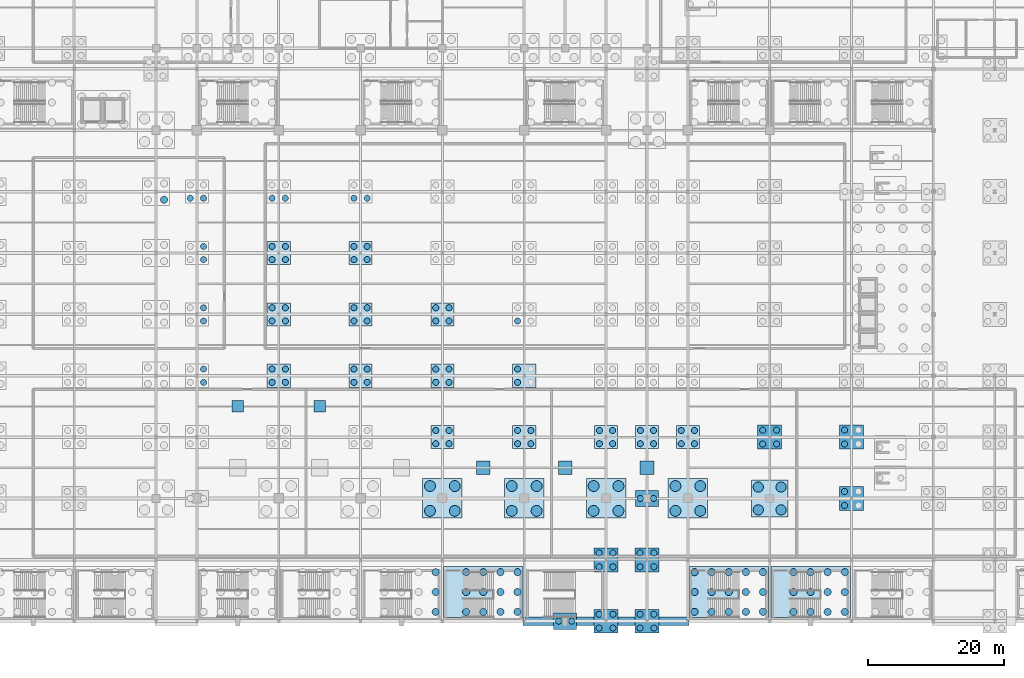
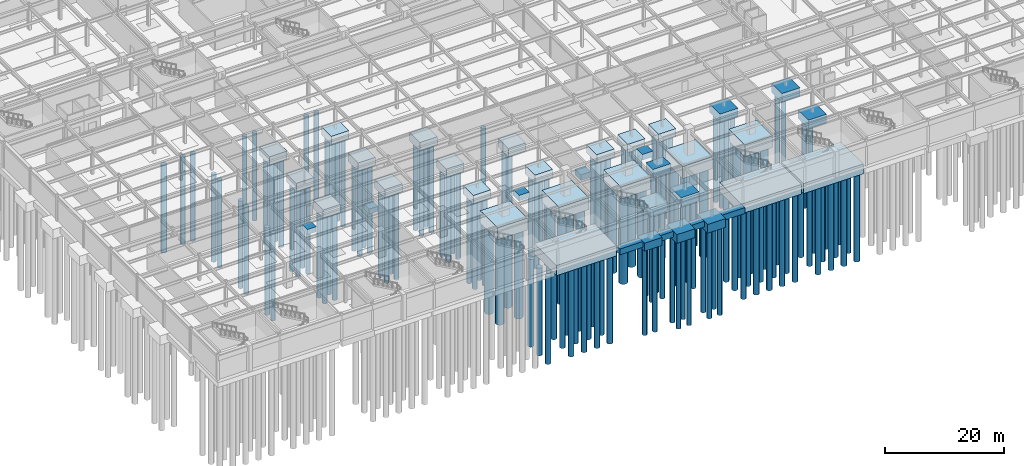
# One storey, part 2 of 47: 158 piles, 40 footings.
"""IFC4 building model written with IfcOpenShell, lengths in metres."""

import ifcopenshell
import ifcopenshell.guid

model = None  # the IFC model being written
_history = None  # IfcOwnerHistory: only IFC2X3 demands one
_inside = {}  # id of a spatial element -> (the spatial element, [elements in it])
_under = {}  # id of a project, library or spatial element -> (it, [spatial elements below it])
_declared = {}  # id of a project -> (the project, [libraries it declares])
_typed = {}  # id of a type object -> (the type object, [elements of that type])
_made_of = {}  # id of a material, layer set ... -> (it, [elements and type objects made of it])


def new_model(schema):
    """Start an empty IFC model of exactly this schema.

    Asked for "IFC4X3", IfcOpenShell would pick the latest addendum, in which some entities
    have other attributes; the version numbers below select the first issue.
    IFC2X3 requires an IfcOwnerHistory on every rooted entity: one is made here for all.
    """
    global model, _history
    if schema == "IFC4X3":
        model = ifcopenshell.file(schema_version=(4, 3, 0, 0))
    else:
        model = ifcopenshell.file(schema=schema)
    _inside.clear()
    _under.clear()
    _declared.clear()
    _typed.clear()
    _made_of.clear()
    _history = None
    if model.schema == "IFC2X3":
        org = make("IfcOrganization", Name="unknown")
        user = make(
            "IfcPersonAndOrganization",
            ThePerson=make("IfcPerson", FamilyName="unknown"),
            TheOrganization=org,
        )
        app = make(
            "IfcApplication",
            ApplicationDeveloper=org,
            Version="unknown",
            ApplicationFullName="unknown",
            ApplicationIdentifier="unknown",
        )
        _history = make(
            "IfcOwnerHistory",
            OwningUser=user,
            OwningApplication=app,
            ChangeAction="ADDED",
            CreationDate=0,
        )
    return model


def make(cls, **values):
    """One entity of the class cls with the attributes given. An attribute that is None is left unset."""
    return model.create_entity(
        cls, **{name: value for name, value in values.items() if value is not None}
    )


def rooted(cls, **values):
    """An entity with a GlobalId (a new one), such as an element, a storey or a relation."""
    return make(cls, GlobalId=ifcopenshell.guid.new(), OwnerHistory=_history, **values)


def si_unit(unit_type, name, prefix=None):
    """IfcSIUnit, for example si_unit("LENGTHUNIT", "METRE", prefix="MILLI")."""
    return make("IfcSIUnit", UnitType=unit_type, Prefix=prefix, Name=name)


def assignment(units):
    """IfcUnitAssignment: the units of a project."""
    return None if units is None else make("IfcUnitAssignment", Units=units)


def point(xyz):
    """IfcCartesianPoint."""
    return None if xyz is None else make("IfcCartesianPoint", Coordinates=xyz)


def direction(xyz):
    """IfcDirection."""
    return None if xyz is None else make("IfcDirection", DirectionRatios=xyz)


def frame(location, z_axis=None, x_axis=None):
    """IfcAxis2Placement3D, a coordinate frame: its origin and axes. An axis left out is left unset."""
    return make(
        "IfcAxis2Placement3D",
        Location=point(location),
        Axis=direction(z_axis),
        RefDirection=direction(x_axis),
    )


def frame_2d(location, x_axis=None):
    """IfcAxis2Placement2D, a coordinate frame in the plane: its origin and x axis."""
    return make(
        "IfcAxis2Placement2D", Location=point(location), RefDirection=direction(x_axis)
    )


def origin():
    """The frame at (0, 0, 0) with its axes left unset."""
    return frame((0.0, 0.0, 0.0))


def origin_2d():
    """The frame at (0, 0) in the plane with its x axis left unset."""
    return frame_2d((0.0, 0.0))


def place(relative_to, where):
    """IfcLocalPlacement: puts the frame where relative to a parent placement (None: the world)."""
    return make(
        "IfcLocalPlacement", PlacementRelTo=relative_to, RelativePlacement=where
    )


def context(
    kind, dimensions, precision=None, world=None, true_north=None, identifier=None
):
    """IfcGeometricRepresentationContext, for example the 3D "Model" context."""
    return make(
        "IfcGeometricRepresentationContext",
        ContextIdentifier=identifier,
        ContextType=kind,
        CoordinateSpaceDimension=dimensions,
        Precision=precision,
        WorldCoordinateSystem=world,
        TrueNorth=true_north,
    )


def subcontext(parent, identifier, kind, view, scale=None):
    """IfcGeometricRepresentationSubContext, for example "Body" below "Model"."""
    return make(
        "IfcGeometricRepresentationSubContext",
        ContextIdentifier=identifier,
        ContextType=kind,
        ParentContext=parent,
        TargetScale=scale,
        TargetView=view,
    )


def project(units=None, contexts=None):
    """IfcProject with its units and contexts."""
    return rooted(
        "IfcProject",
        Name="project",
        RepresentationContexts=contexts,
        UnitsInContext=assignment(units),
    )


def spatial(cls, under=None, at=None, **own):
    """A site, building, storey or space (cls), placed at a placement, below another one or the project."""
    s = rooted(cls, ObjectPlacement=at, **own)
    if under is not None:
        _under.setdefault(under.id(), (under, []))[1].append(s)
    return s


def profile(cls, at=None, kind="AREA", **sizes):
    """A parametric profile (cls). Its sizes go by their IFC names, for example OverallWidth=200.0."""
    return make(cls, ProfileType=kind, Position=at, **sizes)


def rectangle(**sizes):
    """IfcRectangleProfileDef."""
    return profile("IfcRectangleProfileDef", **sizes)


def circle(**sizes):
    """IfcCircleProfileDef."""
    return profile("IfcCircleProfileDef", **sizes)


def extrude(swept, where, along, depth):
    """IfcExtrudedAreaSolid: the profile swept, set in the frame where, extruded along a direction by depth."""
    return make(
        "IfcExtrudedAreaSolid",
        SweptArea=swept,
        Position=where,
        ExtrudedDirection=direction(along),
        Depth=depth,
    )


def shape(context_of_items, identifier, shape_type, items):
    """IfcShapeRepresentation: the items that make up one representation, for example the "Body"."""
    return make(
        "IfcShapeRepresentation",
        ContextOfItems=context_of_items,
        RepresentationIdentifier=identifier,
        RepresentationType=shape_type,
        Items=items,
    )


def material(Name=None, Category=None):
    """IfcMaterial."""
    return make("IfcMaterial", Name=Name, Category=Category)


def material_profile(
    of_material, cross_section, Name=None, Category=None, Priority=None
):
    """IfcMaterialProfile: a cross section and its material."""
    return make(
        "IfcMaterialProfile",
        Name=Name,
        Material=of_material,
        Profile=cross_section,
        Priority=Priority,
        Category=Category,
    )


def profile_set(profiles, Name=None, composite=None):
    """IfcMaterialProfileSet."""
    return make(
        "IfcMaterialProfileSet",
        Name=Name,
        MaterialProfiles=profiles,
        CompositeProfile=composite,
    )


def made_of(thing, what):
    """Note that an element or type object is made of a material, layer set ...; save() writes the relation."""
    if what is not None:
        _made_of.setdefault(what.id(), (what, []))[1].append(thing)
    return thing


def type_object(cls, material=None, **own):
    """A type object (cls), such as IfcWallType, which elements share."""
    return made_of(rooted(cls, **own), material)


def element(
    cls,
    number,
    at=None,
    inside=None,
    cuts=None,
    type_object=None,
    material=None,
    context=None,
    identifier="Body",
    shape_type=None,
    held_by="IfcProductDefinitionShape",
    body=None,
    shapes=None,
    **own,
):
    """One element of the class cls, such as IfcWall. Its Tag is "e" and its number.

    at: its placement. inside: the storey or other place that contains it. cuts: it is an
    opening in that element (IfcRelVoidsElement). A single representation is given by context,
    identifier, shape_type and body (its items); several are given by shapes. held_by: the class
    of the entity that holds the representations. save() writes the other relations.
    """
    e = rooted(cls, Tag="e%d" % number, ObjectPlacement=at, **own)
    if body is not None:
        shapes = [shape(context, identifier, shape_type, body)]
    if shapes is not None:
        e.Representation = make(held_by, Representations=shapes)
    if inside is not None:
        _inside.setdefault(inside.id(), (inside, []))[1].append(e)
    if cuts is not None:
        rooted(
            "IfcRelVoidsElement", RelatingBuildingElement=cuts, RelatedOpeningElement=e
        )
    if type_object is not None:
        _typed.setdefault(type_object.id(), (type_object, []))[1].append(e)
    return made_of(e, material)


def aggregate(whole, parts):
    """IfcRelAggregates: a whole, such as a stair, and the parts it consists of."""
    return rooted("IfcRelAggregates", RelatingObject=whole, RelatedObjects=parts)


def save(model, path):
    """Write the relations noted so far, then the file.

    IfcRelAggregates (storeys below a building ...), IfcRelContainedInSpatialStructure (elements
    in a storey), IfcRelDefinesByType, IfcRelAssociatesMaterial and IfcRelDeclares: one each for
    every whole, place, type object, material and project.
    """
    for whole, parts in _under.values():
        aggregate(whole, parts)
    for where, things in _inside.values():
        rooted(
            "IfcRelContainedInSpatialStructure",
            RelatedElements=things,
            RelatingStructure=where,
        )
    for kind, things in _typed.values():
        rooted("IfcRelDefinesByType", RelatedObjects=things, RelatingType=kind)
    for what, things in _made_of.values():
        rooted("IfcRelAssociatesMaterial", RelatedObjects=things, RelatingMaterial=what)
    for by, libraries in _declared.values():
        rooted("IfcRelDeclares", RelatingContext=by, RelatedDefinitions=libraries)
    model.write(path)


model = new_model("IFC4")

# Units and contexts
model_context = context("Model", 3, precision=1e-05, world=origin(), true_north=direction((0.0, 1.0)))
body_context = subcontext(model_context, "Body", "Model", "MODEL_VIEW")
ifc_project = project(units=[si_unit("LENGTHUNIT", "METRE"), si_unit("AREAUNIT", "SQUARE_METRE"), si_unit("VOLUMEUNIT", "CUBIC_METRE"), si_unit("PLANEANGLEUNIT", "RADIAN"), si_unit("MASSUNIT", "GRAM", prefix="KILO")], contexts=[model_context])

# Site, building, storey
site_placement = place(None, origin())
site = spatial("IfcSite", under=ifc_project, at=site_placement, CompositionType="ELEMENT")
building_placement = place(site_placement, origin())
building = spatial("IfcBuilding", under=site, at=building_placement, Name="Kaldorvane Square Convention Centre", CompositionType="ELEMENT")
storey_placement = place(building_placement, frame((0.0, 0.0, -5.399993896484375)))
storey = spatial("IfcBuildingStorey", under=building, at=storey_placement, Name="B01", CompositionType="ELEMENT", Elevation=-5.399993896484375)

# Footings
ifc_material = material(Name="Concrete f'c = 42 MPa (Normalweight)", Category="concrete")
footing_type_1 = type_object("IfcFootingType", Name="FT-FB-1200X1200", PredefinedType="FOOTING_BEAM", material=ifc_material)
footing_1_placement = place(storey_placement, frame((80.07000732421875, 0.0, -1.20001220703125), z_axis=(0.0, 0.0, 1.0), x_axis=(1.0, 0.0, 0.0)))
element("IfcFooting", 1, at=footing_1_placement, inside=storey, type_object=footing_type_1, Name="Seismic Footing Beam 002", PredefinedType="FOOTING_BEAM", context=body_context, shape_type="SweptSolid", body=[
    extrude(rectangle(XDim=4.4600067138671875, YDim=1.1999969482421875, at=origin_2d()), origin(), (0.0, 0.0, 1.0), 1.1999969482421875),
])
footing_2_placement = place(storey_placement, frame((86.97500610351562, 0.0, -1.20001220703125), z_axis=(0.0, 0.0, 1.0), x_axis=(1.0, 0.0, 0.0)))
element("IfcFooting", 2, at=footing_2_placement, inside=storey, type_object=footing_type_1, Name="Seismic Footing Beam 003", PredefinedType="FOOTING_BEAM", context=body_context, shape_type="SweptSolid", body=[
    extrude(rectangle(XDim=2.5500030517578125, YDim=1.1999969482421875, at=origin_2d()), origin(), (0.0, 0.0, 1.0), 1.1999969482421875),
])
footing_3_placement = place(storey_placement, frame((93.0, 0.0, -1.20001220703125), z_axis=(0.0, 0.0, 1.0), x_axis=(1.0, 0.0, 0.0)))
element("IfcFooting", 3, at=footing_3_placement, inside=storey, type_object=footing_type_1, Name="Seismic Footing Beam 004", PredefinedType="FOOTING_BEAM", context=body_context, shape_type="SweptSolid", body=[
    extrude(rectangle(XDim=2.5, YDim=1.1999969482421875, at=origin_2d()), origin(), (0.0, 0.0, 1.0), 1.1999969482421875),
])
footing_4_placement = place(storey_placement, frame((99.95500183105469, 0.0, -1.20001220703125), z_axis=(0.0, 0.0, 1.0), x_axis=(1.0, 0.0, 0.0)))
element("IfcFooting", 4, at=footing_4_placement, inside=storey, type_object=footing_type_1, Name="Seismic Footing Beam 005", PredefinedType="FOOTING_BEAM", context=body_context, shape_type="SweptSolid", body=[
    extrude(rectangle(XDim=4.410003662109375, YDim=1.1999969482421875, at=origin_2d()), origin(), (0.0, 0.0, 1.0), 1.1999969482421875),
])
footing_type_2 = type_object("IfcFootingType", Name="FT-PAD-1700", PredefinedType="PAD_FOOTING", material=ifc_material)
for number, where, z_axis, x_axis, name in (
    (5, (36.0, 31.5, -1.050018310546875), (0.0, 0.0, 1.0), (1.0, 0.0, 0.0), "Equipment Pad Footing PF-07"),
    (6, (48.0, 31.5, -1.050018310546875), (0.0, 0.0, 1.0), (1.0, 0.0, 0.0), "Equipment Pad Footing PF-08"),
):
    element("IfcFooting", number, at=place(storey_placement, frame(where, z_axis=z_axis, x_axis=x_axis)), inside=storey, type_object=footing_type_2, Name=name, PredefinedType="PAD_FOOTING", context=body_context, shape_type="SweptSolid", body=[
        extrude(rectangle(XDim=1.6999969482421875, YDim=1.6999969482421875, at=origin_2d()), origin(), (0.0, 0.0, 1.0), 1.0500030517578125),
    ])
footing_type_3 = type_object("IfcFootingType", Name="FT-PAD-2000", PredefinedType="PAD_FOOTING", material=ifc_material)
for number, where, z_axis, x_axis, name in (
    (7, (72.0, 22.5, -1.1500091552734375), (0.0, 0.0, 1.0), (1.0, 0.0, 0.0), "Equipment Pad Footing PF-04"),
    (8, (84.0, 22.5, -1.1500091552734375), (0.0, 0.0, 1.0), (1.0, 0.0, 0.0), "Equipment Pad Footing PF-05"),
    (9, (96.0, 22.5, -1.1500091552734375), (0.0, 0.0, 1.0), (1.0, 0.0, 0.0), "Equipment Pad Footing PF-06"),
):
    element("IfcFooting", number, at=place(storey_placement, frame(where, z_axis=z_axis, x_axis=x_axis)), inside=storey, type_object=footing_type_3, Name=name, PredefinedType="PAD_FOOTING", context=body_context, shape_type="SweptSolid", body=[
        extrude(rectangle(XDim=2.0, YDim=2.0, at=origin_2d()), origin(), (0.0, 0.0, 1.0), 1.149993896484375),
    ])
footing_type_4 = type_object("IfcFootingType", Name="FT-PC-3400X2400", PredefinedType="PILE_CAP", material=ifc_material)
for number, where, z_axis, x_axis, name in (
    (10, (96.0, 18.0, -1.6500091552734375), (0.0, 0.0, 1.0), (1.0, 0.0, 0.0), "Pile Cap FC-38-136"),
    (11, (84.0, 0.0, -1.6500091552734375), (0.0, 0.0, 1.0), (1.0, 0.0, 0.0), "Pile Cap FC-38-267"),
):
    element("IfcFooting", number, at=place(storey_placement, frame(where, z_axis=z_axis, x_axis=x_axis)), inside=storey, type_object=footing_type_4, Name=name, PredefinedType="PILE_CAP", context=body_context, shape_type="SweptSolid", body=[
        extrude(rectangle(XDim=3.399993896484375, YDim=2.399993896484375, at=origin_2d()), origin(), (0.0, 0.0, 1.0), 1.649993896484375),
    ])
footing_type_5 = type_object("IfcFootingType", Name="FT-PC-3400X3400", PredefinedType="PILE_CAP", material=ifc_material)
for number, where, z_axis, x_axis, name in (
    (12, (42.0, 36.0, -1.70001220703125), (0.0, 0.0, 1.0), (1.0, 0.0, 0.0), "Pile Cap FC-37-065"),
    (13, (42.0, 45.0, -1.70001220703125), (0.0, 0.0, 1.0), (1.0, 0.0, 0.0), "Pile Cap FC-37-066"),
    (14, (42.0, 54.0, -1.70001220703125), (0.0, 0.0, 1.0), (1.0, 0.0, 0.0), "Pile Cap FC-37-067"),
    (15, (54.0, 36.0, -1.70001220703125), (0.0, 0.0, 1.0), (1.0, 0.0, 0.0), "Pile Cap FC-37-079"),
    (16, (54.0, 45.0, -1.70001220703125), (0.0, 0.0, 1.0), (1.0, 0.0, 0.0), "Pile Cap FC-37-080"),
    (17, (54.0, 54.0, -1.70001220703125), (0.0, 0.0, 1.0), (1.0, 0.0, 0.0), "Pile Cap FC-37-081"),
    (18, (66.0, 27.0, -1.70001220703125), (0.0, 0.0, 1.0), (1.0, 0.0, 0.0), "Pile Cap FC-37-091"),
    (19, (66.0, 36.0, -1.70001220703125), (0.0, 0.0, 1.0), (1.0, 0.0, 0.0), "Pile Cap FC-37-092"),
    (20, (66.0, 45.0, -1.70001220703125), (0.0, 0.0, 1.0), (1.0, 0.0, 0.0), "Pile Cap FC-37-093"),
    (21, (78.0, 27.0, -1.70001220703125), (0.0, 0.0, 1.0), (1.0, 0.0, 0.0), "Pile Cap FC-37-105"),
    (22, (78.0, 36.0, -1.70001220703125), (0.0, 0.0, 1.0), (1.0, 0.0, 0.0), "Pile Cap FC-37-106"),
    (23, (90.0, 27.0, -1.70001220703125), (0.0, 0.0, 1.0), (1.0, 0.0, 0.0), "Pile Cap FC-37-123"),
    (24, (96.0, 27.0, -1.70001220703125), (0.0, 0.0, 1.0), (1.0, 0.0, 0.0), "Pile Cap FC-37-137"),
    (25, (102.0, 27.0, -1.70001220703125), (0.0, 0.0, 1.0), (1.0, 0.0, 0.0), "Pile Cap FC-37-151"),
):
    element("IfcFooting", number, at=place(storey_placement, frame(where, z_axis=z_axis, x_axis=x_axis)), inside=storey, type_object=footing_type_5, Name=name, PredefinedType="PILE_CAP", context=body_context, shape_type="SweptSolid", body=[
        extrude(rectangle(XDim=3.399993896484375, YDim=3.399993896484375, at=origin_2d()), origin(), (0.0, 0.0, 1.0), 1.6999969482421875),
    ])
footing_type_6 = type_object("IfcFootingType", Name="FT-PC-3500X3500", PredefinedType="PILE_CAP", material=ifc_material)
for number, where, z_axis, x_axis, name in (
    (26, (90.0, 0.0, -1.800018310546875), (0.0, 0.0, 1.0), (1.0, 0.0, 0.0), "Pile Cap FC-36-120"),
    (27, (90.0, 9.0, -1.800018310546875), (0.0, 0.0, 1.0), (1.0, 0.0, 0.0), "Pile Cap FC-36-121"),
    (28, (96.0, 0.0, -1.800018310546875), (0.0, 0.0, 1.0), (1.0, 0.0, 0.0), "Pile Cap FC-36-134"),
    (29, (96.0, 9.0, -1.800018310546875), (0.0, 0.0, 1.0), (1.0, 0.0, 0.0), "Pile Cap FC-36-135"),
    (30, (114.0, 27.0, -1.800018310546875), (0.0, 0.0, 1.0), (1.0, 0.0, 0.0), "Pile Cap FC-36-165"),
    (31, (126.0, 18.0, -1.800018310546875), (0.0, 0.0, 1.0), (1.0, 0.0, 0.0), "Pile Cap FC-36-178"),
    (32, (126.0, 27.0, -1.800018310546875), (0.0, 0.0, 1.0), (1.0, 0.0, 0.0), "Pile Cap FC-36-179"),
):
    element("IfcFooting", number, at=place(storey_placement, frame(where, z_axis=z_axis, x_axis=x_axis)), inside=storey, type_object=footing_type_6, Name=name, PredefinedType="PILE_CAP", context=body_context, shape_type="SweptSolid", body=[
        extrude(rectangle(XDim=3.5, YDim=3.5, at=origin_2d()), origin(), (0.0, 0.0, 1.0), 1.8000030517578125),
    ])
footing_type_7 = type_object("IfcFootingType", Name="FT-PC-5400X5400", PredefinedType="PILE_CAP", material=ifc_material)
footing_5_placement = place(storey_placement, frame((114.0, 18.0, -2.4000091552734375), z_axis=(0.0, 0.0, 1.0), x_axis=(1.0, 0.0, 0.0)))
element("IfcFooting", 33, at=footing_5_placement, inside=storey, type_object=footing_type_7, Name="Pile Cap FC-32-164", PredefinedType="PILE_CAP", context=body_context, shape_type="SweptSolid", body=[
    extrude(rectangle(XDim=5.399993896484375, YDim=5.399993896484375, at=origin_2d()), origin(), (0.0, 0.0, 1.0), 2.399993896484375),
])
footing_type_8 = type_object("IfcFootingType", Name="FT-PC-5800X5800", PredefinedType="PILE_CAP", material=ifc_material)
for number, where, z_axis, x_axis, name in (
    (34, (66.0, 18.0, -2.5), (0.0, 0.0, 1.0), (1.0, 0.0, 0.0), "Pile Cap FC-31-090"),
    (35, (78.0, 18.0, -2.5), (0.0, 0.0, 1.0), (1.0, 0.0, 0.0), "Pile Cap FC-31-104"),
    (36, (90.0, 18.0, -2.5), (0.0, 0.0, 1.0), (1.0, 0.0, 0.0), "Pile Cap FC-31-122"),
    (37, (102.0, 18.0, -2.5), (0.0, 0.0, 1.0), (1.0, 0.0, 0.0), "Pile Cap FC-31-150"),
):
    element("IfcFooting", number, at=place(storey_placement, frame(where, z_axis=z_axis, x_axis=x_axis)), inside=storey, type_object=footing_type_8, Name=name, PredefinedType="PILE_CAP", context=body_context, shape_type="SweptSolid", body=[
        extrude(rectangle(XDim=5.8000030517578125, YDim=5.8000030517578125, at=origin_2d()), origin(), (0.0, 0.0, 1.0), 2.5),
    ])
footing_type_9 = type_object("IfcFootingType", Name="FT-PC-STAIR-ST-C6", PredefinedType="PILE_CAP", material=ifc_material)
footing_6_placement = place(storey_placement, frame((72.0, 4.279998779296875, -2.100006103515625), z_axis=(0.0, 0.0, 1.0), x_axis=(1.0, 0.0, 0.0)))
element("IfcFooting", 38, at=footing_6_placement, inside=storey, type_object=footing_type_9, Name="Core Pile Cap FC-12", PredefinedType="PILE_CAP", context=body_context, shape_type="SweptSolid", body=[
    extrude(rectangle(XDim=11.67999267578125, YDim=7.4600067138671875, at=origin_2d()), origin(), (0.0, 0.0, 1.0), 2.100006103515625),
])
footing_type_10 = type_object("IfcFootingType", Name="FT-PC-STAIR-ST-C8", PredefinedType="PILE_CAP", material=ifc_material)
footing_7_placement = place(storey_placement, frame((108.0, 4.279998779296875, -2.0), z_axis=(0.0, 0.0, 1.0), x_axis=(1.0, 0.0, 0.0)))
element("IfcFooting", 39, at=footing_7_placement, inside=storey, type_object=footing_type_10, Name="Core Pile Cap FC-13", PredefinedType="PILE_CAP", context=body_context, shape_type="SweptSolid", body=[
    extrude(rectangle(XDim=11.67999267578125, YDim=7.4600067138671875, at=origin_2d()), origin(), (0.0, 0.0, 1.0), 2.0),
])
footing_type_11 = type_object("IfcFootingType", Name="FT-PC-STAIR-ST-C9", PredefinedType="PILE_CAP", material=ifc_material)
footing_8_placement = place(storey_placement, frame((120.0, 4.279998779296875, -2.050018310546875), z_axis=(0.0, 0.0, 1.0), x_axis=(1.0, 0.0, 0.0)))
element("IfcFooting", 40, at=footing_8_placement, inside=storey, type_object=footing_type_11, Name="Core Pile Cap FC-14", PredefinedType="PILE_CAP", context=body_context, shape_type="SweptSolid", body=[
    extrude(rectangle(XDim=11.67999267578125, YDim=7.4600067138671875, at=origin_2d()), origin(), (0.0, 0.0, 1.0), 2.0500030517578125),
])

# Piles
ifc_material_profile_1 = material_profile(ifc_material, circle(Radius=0.524993896484375, at=origin_2d()), Name="PILE-D1050")
ifc_profile_set_1 = profile_set([ifc_material_profile_1], Name="Concrete f'c = 42 MPa (Normalweight)")
pile_type_1 = type_object("IfcPileType", Name="PL-CIDH-1050", PredefinedType="BORED", material=ifc_profile_set_1)
for number, where, z_axis, x_axis, name in (
    (41, (65.01499938964844, 1.375, -2.0500030517578125), (0.0, 0.0, -1.0), (1.0, 0.0, 0.0), "Bored Pile 0130"),
    (42, (65.01499938964844, 4.279998779296875, -2.0500030517578125), (0.0, 0.0, -1.0), (1.0, 0.0, 0.0), "Bored Pile 0131"),
    (43, (65.01499938964844, 7.18499755859375, -2.0500030517578125), (0.0, 0.0, -1.0), (1.0, 0.0, 0.0), "Bored Pile 0132"),
    (44, (69.49249267578125, 1.375, -2.100006103515625), (0.0, 0.0, -1.0), (1.0, 0.0, 0.0), "Bored Pile 0133"),
    (45, (69.49249267578125, 4.279998779296875, -2.100006103515625), (0.0, 0.0, -1.0), (1.0, 0.0, 0.0), "Bored Pile 0134"),
    (46, (69.49249267578125, 7.18499755859375, -2.100006103515625), (0.0, 0.0, -1.0), (1.0, 0.0, 0.0), "Bored Pile 0135"),
    (47, (72.0, 1.375, -2.100006103515625), (0.0, 0.0, -1.0), (1.0, 0.0, 0.0), "Bored Pile 0136"),
    (48, (72.0, 4.279998779296875, -2.100006103515625), (0.0, 0.0, -1.0), (1.0, 0.0, 0.0), "Bored Pile 0137"),
    (49, (72.0, 7.18499755859375, -2.100006103515625), (0.0, 0.0, -1.0), (1.0, 0.0, 0.0), "Bored Pile 0138"),
    (50, (74.50750732421875, 1.375, -2.100006103515625), (0.0, 0.0, -1.0), (1.0, 0.0, 0.0), "Bored Pile 0139"),
    (51, (74.50750732421875, 4.279998779296875, -2.100006103515625), (0.0, 0.0, -1.0), (1.0, 0.0, 0.0), "Bored Pile 0140"),
    (52, (74.50750732421875, 7.18499755859375, -2.100006103515625), (0.0, 0.0, -1.0), (1.0, 0.0, 0.0), "Bored Pile 0141"),
    (53, (77.01499938964844, 1.375, -2.100006103515625), (0.0, 0.0, -1.0), (1.0, 0.0, 0.0), "Bored Pile 0142"),
    (54, (77.01499938964844, 4.279998779296875, -2.100006103515625), (0.0, 0.0, -1.0), (1.0, 0.0, 0.0), "Bored Pile 0143"),
    (55, (77.01499938964844, 7.18499755859375, -2.100006103515625), (0.0, 0.0, -1.0), (1.0, 0.0, 0.0), "Bored Pile 0144"),
    (56, (102.98500061035156, 1.375, -2.0), (0.0, 0.0, -1.0), (1.0, 0.0, 0.0), "Bored Pile 0145"),
    (57, (102.98500061035156, 4.279998779296875, -2.0), (0.0, 0.0, -1.0), (1.0, 0.0, 0.0), "Bored Pile 0146"),
    (58, (102.98500061035156, 7.18499755859375, -2.0), (0.0, 0.0, -1.0), (1.0, 0.0, 0.0), "Bored Pile 0147"),
    (59, (105.49249267578125, 1.375, -2.0), (0.0, 0.0, -1.0), (1.0, 0.0, 0.0), "Bored Pile 0148"),
    (60, (105.49249267578125, 4.279998779296875, -2.0), (0.0, 0.0, -1.0), (1.0, 0.0, 0.0), "Bored Pile 0149"),
    (61, (105.49249267578125, 7.18499755859375, -2.0), (0.0, 0.0, -1.0), (1.0, 0.0, 0.0), "Bored Pile 0150"),
    (62, (108.0, 1.375, -2.0), (0.0, 0.0, -1.0), (1.0, 0.0, 0.0), "Bored Pile 0151"),
    (63, (108.0, 4.279998779296875, -2.0), (0.0, 0.0, -1.0), (1.0, 0.0, 0.0), "Bored Pile 0152"),
    (64, (108.0, 7.18499755859375, -2.0), (0.0, 0.0, -1.0), (1.0, 0.0, 0.0), "Bored Pile 0153"),
    (65, (110.50750732421875, 1.375, -2.0), (0.0, 0.0, -1.0), (1.0, 0.0, 0.0), "Bored Pile 0154"),
    (66, (110.50750732421875, 4.279998779296875, -2.0), (0.0, 0.0, -1.0), (1.0, 0.0, 0.0), "Bored Pile 0155"),
    (67, (110.50750732421875, 7.18499755859375, -2.0), (0.0, 0.0, -1.0), (1.0, 0.0, 0.0), "Bored Pile 0156"),
    (68, (113.01499938964844, 1.375, -2.0), (0.0, 0.0, -1.0), (1.0, 0.0, 0.0), "Bored Pile 0157"),
    (69, (113.01499938964844, 4.279998779296875, -2.0), (0.0, 0.0, -1.0), (1.0, 0.0, 0.0), "Bored Pile 0158"),
    (70, (113.01499938964844, 7.18499755859375, -2.0), (0.0, 0.0, -1.0), (1.0, 0.0, 0.0), "Bored Pile 0159"),
    (71, (117.49249267578125, 1.375, -2.0500030517578125), (0.0, 0.0, -1.0), (1.0, 0.0, 0.0), "Bored Pile 0160"),
    (72, (117.49249267578125, 4.279998779296875, -2.0500030517578125), (0.0, 0.0, -1.0), (1.0, 0.0, 0.0), "Bored Pile 0161"),
    (73, (117.49249267578125, 7.18499755859375, -2.0500030517578125), (0.0, 0.0, -1.0), (1.0, 0.0, 0.0), "Bored Pile 0162"),
    (74, (120.0, 1.375, -2.0500030517578125), (0.0, 0.0, -1.0), (1.0, 0.0, 0.0), "Bored Pile 0163"),
    (75, (120.0, 4.279998779296875, -2.0500030517578125), (0.0, 0.0, -1.0), (1.0, 0.0, 0.0), "Bored Pile 0164"),
    (76, (120.0, 7.18499755859375, -2.0500030517578125), (0.0, 0.0, -1.0), (1.0, 0.0, 0.0), "Bored Pile 0165"),
    (77, (122.50750732421875, 1.375, -2.0500030517578125), (0.0, 0.0, -1.0), (1.0, 0.0, 0.0), "Bored Pile 0166"),
    (78, (122.50750732421875, 4.279998779296875, -2.0500030517578125), (0.0, 0.0, -1.0), (1.0, 0.0, 0.0), "Bored Pile 0167"),
    (79, (122.50750732421875, 7.18499755859375, -2.0500030517578125), (0.0, 0.0, -1.0), (1.0, 0.0, 0.0), "Bored Pile 0168"),
    (80, (125.01499938964844, 1.375, -2.0500030517578125), (0.0, 0.0, -1.0), (1.0, 0.0, 0.0), "Bored Pile 0169"),
    (81, (125.01499938964844, 4.279998779296875, -2.0500030517578125), (0.0, 0.0, -1.0), (1.0, 0.0, 0.0), "Bored Pile 0170"),
    (82, (125.01499938964844, 7.18499755859375, -2.0500030517578125), (0.0, 0.0, -1.0), (1.0, 0.0, 0.0), "Bored Pile 0171"),
    (83, (25.19500732421875, 61.80499267578125, -1.9000091552734375), (0.0, 0.0, -1.0), (1.0, 0.0, 0.0), "Bored Pile 0410"),
):
    element("IfcPile", number, at=place(storey_placement, frame(where, z_axis=z_axis, x_axis=x_axis)), inside=storey, type_object=pile_type_1, Name=name, PredefinedType="BORED", context=body_context, shape_type="SweptSolid", body=[
        extrude(circle(Radius=0.524993896484375, at=origin_2d()), origin(), (0.0, 0.0, 1.0), 18.0),
    ])
ifc_material_profile_2 = material_profile(ifc_material, circle(Radius=0.75, at=origin_2d()), Name="PILE-D1500")
ifc_profile_set_2 = profile_set([ifc_material_profile_2], Name="Concrete f'c = 42 MPa (Normalweight)")
pile_type_2 = type_object("IfcPileType", Name="PL-CIDH-1500", PredefinedType="BORED", material=ifc_profile_set_2)
for number, where, z_axis, x_axis, name in (
    (84, (112.33000183105469, 16.330001831054688, -2.4000091552734375), (0.0, 0.0, -1.0), (1.0, 0.0, 0.0), "Bored Pile 0764"),
    (85, (112.33000183105469, 19.669998168945312, -2.4000091552734375), (0.0, 0.0, -1.0), (1.0, 0.0, 0.0), "Bored Pile 0765"),
    (86, (115.66999816894531, 16.330001831054688, -2.4000091552734375), (0.0, 0.0, -1.0), (1.0, 0.0, 0.0), "Bored Pile 0766"),
    (87, (115.66999816894531, 19.669998168945312, -2.4000091552734375), (0.0, 0.0, -1.0), (1.0, 0.0, 0.0), "Bored Pile 0767"),
):
    element("IfcPile", number, at=place(storey_placement, frame(where, z_axis=z_axis, x_axis=x_axis)), inside=storey, type_object=pile_type_2, Name=name, PredefinedType="BORED", context=body_context, shape_type="SweptSolid", body=[
        extrude(circle(Radius=0.75, at=origin_2d()), origin(), (0.0, 0.0, 1.0), 18.0),
    ])
ifc_material_profile_3 = material_profile(ifc_material, circle(Radius=0.8000030517578125, at=origin_2d()), Name="PILE-D1600")
ifc_profile_set_3 = profile_set([ifc_material_profile_3], Name="Concrete f'c = 42 MPa (Normalweight)")
pile_type_3 = type_object("IfcPileType", Name="PL-CIDH-1600", PredefinedType="BORED", material=ifc_profile_set_3)
for number, where, z_axis, x_axis, name in (
    (88, (64.17999267578125, 16.17999267578125, -2.5), (0.0, 0.0, -1.0), (1.0, 0.0, 0.0), "Bored Pile 0546"),
    (89, (64.17999267578125, 19.82000732421875, -2.5), (0.0, 0.0, -1.0), (1.0, 0.0, 0.0), "Bored Pile 0547"),
    (90, (67.82000732421875, 16.17999267578125, -2.5), (0.0, 0.0, -1.0), (1.0, 0.0, 0.0), "Bored Pile 0548"),
    (91, (67.82000732421875, 19.82000732421875, -2.5), (0.0, 0.0, -1.0), (1.0, 0.0, 0.0), "Bored Pile 0549"),
    (92, (76.17999267578125, 16.17999267578125, -2.5), (0.0, 0.0, -1.0), (1.0, 0.0, 0.0), "Bored Pile 0580"),
    (93, (76.17999267578125, 19.82000732421875, -2.5), (0.0, 0.0, -1.0), (1.0, 0.0, 0.0), "Bored Pile 0581"),
    (94, (79.82000732421875, 16.17999267578125, -2.5), (0.0, 0.0, -1.0), (1.0, 0.0, 0.0), "Bored Pile 0582"),
    (95, (79.82000732421875, 19.82000732421875, -2.5), (0.0, 0.0, -1.0), (1.0, 0.0, 0.0), "Bored Pile 0583"),
    (96, (88.17999267578125, 16.17999267578125, -2.5), (0.0, 0.0, -1.0), (1.0, 0.0, 0.0), "Bored Pile 0638"),
    (97, (88.17999267578125, 19.82000732421875, -2.5), (0.0, 0.0, -1.0), (1.0, 0.0, 0.0), "Bored Pile 0639"),
    (98, (91.82000732421875, 16.17999267578125, -2.5), (0.0, 0.0, -1.0), (1.0, 0.0, 0.0), "Bored Pile 0640"),
    (99, (91.82000732421875, 19.82000732421875, -2.5), (0.0, 0.0, -1.0), (1.0, 0.0, 0.0), "Bored Pile 0641"),
    (100, (100.17999267578125, 16.17999267578125, -2.5), (0.0, 0.0, -1.0), (1.0, 0.0, 0.0), "Bored Pile 0728"),
    (101, (100.17999267578125, 19.82000732421875, -2.5), (0.0, 0.0, -1.0), (1.0, 0.0, 0.0), "Bored Pile 0729"),
    (102, (103.82000732421875, 16.17999267578125, -2.5), (0.0, 0.0, -1.0), (1.0, 0.0, 0.0), "Bored Pile 0730"),
    (103, (103.82000732421875, 19.82000732421875, -2.5), (0.0, 0.0, -1.0), (1.0, 0.0, 0.0), "Bored Pile 0731"),
):
    element("IfcPile", number, at=place(storey_placement, frame(where, z_axis=z_axis, x_axis=x_axis)), inside=storey, type_object=pile_type_3, Name=name, PredefinedType="BORED", context=body_context, shape_type="SweptSolid", body=[
        extrude(circle(Radius=0.8000030517578125, at=origin_2d()), origin(), (0.0, 0.0, 1.0), 18.0),
    ])
ifc_material_profile_4 = material_profile(ifc_material, circle(Radius=0.4499969482421875, at=origin_2d()), Name="PILE-D900")
ifc_profile_set_4 = profile_set([ifc_material_profile_4], Name="Concrete f'c = 42 MPa (Normalweight)")
pile_type_4 = type_object("IfcPileType", Name="PL-CIDH-900", PredefinedType="BORED", material=ifc_profile_set_4)
for number, where, z_axis, x_axis, name in (
    (104, (30.970001220703125, 35.029998779296875, -1.70001220703125), (0.0, 0.0, -1.0), (1.0, 0.0, 0.0), "Bored Pile 0440"),
    (105, (30.970001220703125, 36.970001220703125, -1.70001220703125), (0.0, 0.0, -1.0), (1.0, 0.0, 0.0), "Bored Pile 0441"),
    (106, (30.970001220703125, 44.029998779296875, -1.70001220703125), (0.0, 0.0, -1.0), (1.0, 0.0, 0.0), "Bored Pile 0444"),
    (107, (30.970001220703125, 45.970001220703125, -1.70001220703125), (0.0, 0.0, -1.0), (1.0, 0.0, 0.0), "Bored Pile 0445"),
    (108, (30.970001220703125, 53.029998779296875, -1.70001220703125), (0.0, 0.0, -1.0), (1.0, 0.0, 0.0), "Bored Pile 0448"),
    (109, (30.970001220703125, 54.970001220703125, -1.70001220703125), (0.0, 0.0, -1.0), (1.0, 0.0, 0.0), "Bored Pile 0449"),
    (110, (29.029998779296875, 62.029998779296875, -1.70001220703125), (0.0, 0.0, -1.0), (1.0, 0.0, 0.0), "Bored Pile 0450"),
    (111, (30.970001220703125, 62.029998779296875, -1.70001220703125), (0.0, 0.0, -1.0), (1.0, 0.0, 0.0), "Bored Pile 0452"),
    (112, (41.029998779296875, 35.029998779296875, -1.70001220703125), (0.0, 0.0, -1.0), (1.0, 0.0, 0.0), "Bored Pile 0488"),
    (113, (41.029998779296875, 36.970001220703125, -1.70001220703125), (0.0, 0.0, -1.0), (1.0, 0.0, 0.0), "Bored Pile 0489"),
    (114, (42.970001220703125, 35.029998779296875, -1.70001220703125), (0.0, 0.0, -1.0), (1.0, 0.0, 0.0), "Bored Pile 0490"),
    (115, (42.970001220703125, 36.970001220703125, -1.70001220703125), (0.0, 0.0, -1.0), (1.0, 0.0, 0.0), "Bored Pile 0491"),
    (116, (41.029998779296875, 44.029998779296875, -1.70001220703125), (0.0, 0.0, -1.0), (1.0, 0.0, 0.0), "Bored Pile 0492"),
    (117, (41.029998779296875, 45.970001220703125, -1.70001220703125), (0.0, 0.0, -1.0), (1.0, 0.0, 0.0), "Bored Pile 0493"),
    (118, (42.970001220703125, 44.029998779296875, -1.70001220703125), (0.0, 0.0, -1.0), (1.0, 0.0, 0.0), "Bored Pile 0494"),
    (119, (42.970001220703125, 45.970001220703125, -1.70001220703125), (0.0, 0.0, -1.0), (1.0, 0.0, 0.0), "Bored Pile 0495"),
    (120, (41.029998779296875, 53.029998779296875, -1.70001220703125), (0.0, 0.0, -1.0), (1.0, 0.0, 0.0), "Bored Pile 0496"),
    (121, (41.029998779296875, 54.970001220703125, -1.70001220703125), (0.0, 0.0, -1.0), (1.0, 0.0, 0.0), "Bored Pile 0497"),
    (122, (42.970001220703125, 53.029998779296875, -1.70001220703125), (0.0, 0.0, -1.0), (1.0, 0.0, 0.0), "Bored Pile 0498"),
    (123, (42.970001220703125, 54.970001220703125, -1.70001220703125), (0.0, 0.0, -1.0), (1.0, 0.0, 0.0), "Bored Pile 0499"),
    (124, (41.029998779296875, 62.029998779296875, -1.70001220703125), (0.0, 0.0, -1.0), (1.0, 0.0, 0.0), "Bored Pile 0500"),
    (125, (42.970001220703125, 62.029998779296875, -1.70001220703125), (0.0, 0.0, -1.0), (1.0, 0.0, 0.0), "Bored Pile 0502"),
    (126, (53.029998779296875, 35.029998779296875, -1.70001220703125), (0.0, 0.0, -1.0), (1.0, 0.0, 0.0), "Bored Pile 0522"),
    (127, (53.029998779296875, 36.970001220703125, -1.70001220703125), (0.0, 0.0, -1.0), (1.0, 0.0, 0.0), "Bored Pile 0523"),
    (128, (54.970001220703125, 35.029998779296875, -1.70001220703125), (0.0, 0.0, -1.0), (1.0, 0.0, 0.0), "Bored Pile 0524"),
    (129, (54.970001220703125, 36.970001220703125, -1.70001220703125), (0.0, 0.0, -1.0), (1.0, 0.0, 0.0), "Bored Pile 0525"),
    (130, (53.029998779296875, 44.029998779296875, -1.70001220703125), (0.0, 0.0, -1.0), (1.0, 0.0, 0.0), "Bored Pile 0526"),
    (131, (53.029998779296875, 45.970001220703125, -1.70001220703125), (0.0, 0.0, -1.0), (1.0, 0.0, 0.0), "Bored Pile 0527"),
    (132, (54.970001220703125, 44.029998779296875, -1.70001220703125), (0.0, 0.0, -1.0), (1.0, 0.0, 0.0), "Bored Pile 0528"),
    (133, (54.970001220703125, 45.970001220703125, -1.70001220703125), (0.0, 0.0, -1.0), (1.0, 0.0, 0.0), "Bored Pile 0529"),
    (134, (53.029998779296875, 53.029998779296875, -1.70001220703125), (0.0, 0.0, -1.0), (1.0, 0.0, 0.0), "Bored Pile 0530"),
    (135, (53.029998779296875, 54.970001220703125, -1.70001220703125), (0.0, 0.0, -1.0), (1.0, 0.0, 0.0), "Bored Pile 0531"),
    (136, (54.970001220703125, 53.029998779296875, -1.70001220703125), (0.0, 0.0, -1.0), (1.0, 0.0, 0.0), "Bored Pile 0532"),
    (137, (54.970001220703125, 54.970001220703125, -1.70001220703125), (0.0, 0.0, -1.0), (1.0, 0.0, 0.0), "Bored Pile 0533"),
    (138, (53.029998779296875, 62.029998779296875, -1.70001220703125), (0.0, 0.0, -1.0), (1.0, 0.0, 0.0), "Bored Pile 0534"),
    (139, (54.970001220703125, 62.029998779296875, -1.70001220703125), (0.0, 0.0, -1.0), (1.0, 0.0, 0.0), "Bored Pile 0536"),
    (140, (65.02999877929688, 26.029998779296875, -1.70001220703125), (0.0, 0.0, -1.0), (1.0, 0.0, 0.0), "Bored Pile 0550"),
    (141, (65.02999877929688, 27.970001220703125, -1.70001220703125), (0.0, 0.0, -1.0), (1.0, 0.0, 0.0), "Bored Pile 0551"),
    (142, (66.97000122070312, 26.029998779296875, -1.70001220703125), (0.0, 0.0, -1.0), (1.0, 0.0, 0.0), "Bored Pile 0552"),
    (143, (66.97000122070312, 27.970001220703125, -1.70001220703125), (0.0, 0.0, -1.0), (1.0, 0.0, 0.0), "Bored Pile 0553"),
    (144, (65.02999877929688, 35.029998779296875, -1.70001220703125), (0.0, 0.0, -1.0), (1.0, 0.0, 0.0), "Bored Pile 0554"),
    (145, (65.02999877929688, 36.970001220703125, -1.70001220703125), (0.0, 0.0, -1.0), (1.0, 0.0, 0.0), "Bored Pile 0555"),
    (146, (66.97000122070312, 35.029998779296875, -1.70001220703125), (0.0, 0.0, -1.0), (1.0, 0.0, 0.0), "Bored Pile 0556"),
    (147, (66.97000122070312, 36.970001220703125, -1.70001220703125), (0.0, 0.0, -1.0), (1.0, 0.0, 0.0), "Bored Pile 0557"),
    (148, (65.02999877929688, 44.029998779296875, -1.70001220703125), (0.0, 0.0, -1.0), (1.0, 0.0, 0.0), "Bored Pile 0558"),
    (149, (65.02999877929688, 45.970001220703125, -1.70001220703125), (0.0, 0.0, -1.0), (1.0, 0.0, 0.0), "Bored Pile 0559"),
    (150, (66.97000122070312, 44.029998779296875, -1.70001220703125), (0.0, 0.0, -1.0), (1.0, 0.0, 0.0), "Bored Pile 0560"),
    (151, (66.97000122070312, 45.970001220703125, -1.70001220703125), (0.0, 0.0, -1.0), (1.0, 0.0, 0.0), "Bored Pile 0561"),
    (152, (77.02999877929688, 26.029998779296875, -1.70001220703125), (0.0, 0.0, -1.0), (1.0, 0.0, 0.0), "Bored Pile 0584"),
    (153, (77.02999877929688, 27.970001220703125, -1.70001220703125), (0.0, 0.0, -1.0), (1.0, 0.0, 0.0), "Bored Pile 0585"),
    (154, (78.97000122070312, 26.029998779296875, -1.70001220703125), (0.0, 0.0, -1.0), (1.0, 0.0, 0.0), "Bored Pile 0586"),
    (155, (78.97000122070312, 27.970001220703125, -1.70001220703125), (0.0, 0.0, -1.0), (1.0, 0.0, 0.0), "Bored Pile 0587"),
    (156, (77.02999877929688, 35.029998779296875, -1.70001220703125), (0.0, 0.0, -1.0), (1.0, 0.0, 0.0), "Bored Pile 0588"),
    (157, (77.02999877929688, 36.970001220703125, -1.70001220703125), (0.0, 0.0, -1.0), (1.0, 0.0, 0.0), "Bored Pile 0589"),
    (158, (77.02999877929688, 44.029998779296875, -1.70001220703125), (0.0, 0.0, -1.0), (1.0, 0.0, 0.0), "Bored Pile 0592"),
    (159, (88.97999572753906, -1.0200042724609375, -1.8000030517578125), (0.0, 0.0, -1.0), (1.0, 0.0, 0.0), "Bored Pile 0630"),
    (160, (88.97999572753906, 1.0200042724609375, -1.8000030517578125), (0.0, 0.0, -1.0), (1.0, 0.0, 0.0), "Bored Pile 0631"),
    (161, (91.02000427246094, -1.0200042724609375, -1.8000030517578125), (0.0, 0.0, -1.0), (1.0, 0.0, 0.0), "Bored Pile 0632"),
    (162, (91.02000427246094, 1.0200042724609375, -1.8000030517578125), (0.0, 0.0, -1.0), (1.0, 0.0, 0.0), "Bored Pile 0633"),
    (163, (88.97999572753906, 7.9799957275390625, -1.8000030517578125), (0.0, 0.0, -1.0), (1.0, 0.0, 0.0), "Bored Pile 0634"),
    (164, (88.97999572753906, 10.020004272460938, -1.8000030517578125), (0.0, 0.0, -1.0), (1.0, 0.0, 0.0), "Bored Pile 0635"),
    (165, (91.02000427246094, 7.9799957275390625, -1.8000030517578125), (0.0, 0.0, -1.0), (1.0, 0.0, 0.0), "Bored Pile 0636"),
    (166, (91.02000427246094, 10.020004272460938, -1.8000030517578125), (0.0, 0.0, -1.0), (1.0, 0.0, 0.0), "Bored Pile 0637"),
    (167, (89.02999877929688, 26.029998779296875, -1.70001220703125), (0.0, 0.0, -1.0), (1.0, 0.0, 0.0), "Bored Pile 0642"),
    (168, (89.02999877929688, 27.970001220703125, -1.70001220703125), (0.0, 0.0, -1.0), (1.0, 0.0, 0.0), "Bored Pile 0643"),
    (169, (90.97000122070312, 26.029998779296875, -1.70001220703125), (0.0, 0.0, -1.0), (1.0, 0.0, 0.0), "Bored Pile 0644"),
    (170, (90.97000122070312, 27.970001220703125, -1.70001220703125), (0.0, 0.0, -1.0), (1.0, 0.0, 0.0), "Bored Pile 0645"),
    (171, (94.97999572753906, -1.0200042724609375, -1.8000030517578125), (0.0, 0.0, -1.0), (1.0, 0.0, 0.0), "Bored Pile 0678"),
    (172, (94.97999572753906, 1.0200042724609375, -1.8000030517578125), (0.0, 0.0, -1.0), (1.0, 0.0, 0.0), "Bored Pile 0679"),
    (173, (97.02000427246094, -1.0200042724609375, -1.8000030517578125), (0.0, 0.0, -1.0), (1.0, 0.0, 0.0), "Bored Pile 0680"),
    (174, (97.02000427246094, 1.0200042724609375, -1.8000030517578125), (0.0, 0.0, -1.0), (1.0, 0.0, 0.0), "Bored Pile 0681"),
    (175, (94.97999572753906, 7.9799957275390625, -1.8000030517578125), (0.0, 0.0, -1.0), (1.0, 0.0, 0.0), "Bored Pile 0682"),
    (176, (94.97999572753906, 10.020004272460938, -1.8000030517578125), (0.0, 0.0, -1.0), (1.0, 0.0, 0.0), "Bored Pile 0683"),
    (177, (97.02000427246094, 7.9799957275390625, -1.8000030517578125), (0.0, 0.0, -1.0), (1.0, 0.0, 0.0), "Bored Pile 0684"),
    (178, (97.02000427246094, 10.020004272460938, -1.8000030517578125), (0.0, 0.0, -1.0), (1.0, 0.0, 0.0), "Bored Pile 0685"),
    (179, (95.02999877929688, 18.0, -1.6500091552734375), (0.0, 0.0, -1.0), (1.0, 0.0, 0.0), "Bored Pile 0686"),
    (180, (96.97000122070312, 18.0, -1.6500091552734375), (0.0, 0.0, -1.0), (1.0, 0.0, 0.0), "Bored Pile 0687"),
    (181, (95.02999877929688, 26.029998779296875, -1.70001220703125), (0.0, 0.0, -1.0), (1.0, 0.0, 0.0), "Bored Pile 0688"),
    (182, (95.02999877929688, 27.970001220703125, -1.70001220703125), (0.0, 0.0, -1.0), (1.0, 0.0, 0.0), "Bored Pile 0689"),
    (183, (96.97000122070312, 26.029998779296875, -1.70001220703125), (0.0, 0.0, -1.0), (1.0, 0.0, 0.0), "Bored Pile 0690"),
    (184, (96.97000122070312, 27.970001220703125, -1.70001220703125), (0.0, 0.0, -1.0), (1.0, 0.0, 0.0), "Bored Pile 0691"),
    (185, (101.02999877929688, 26.029998779296875, -1.70001220703125), (0.0, 0.0, -1.0), (1.0, 0.0, 0.0), "Bored Pile 0732"),
    (186, (101.02999877929688, 27.970001220703125, -1.70001220703125), (0.0, 0.0, -1.0), (1.0, 0.0, 0.0), "Bored Pile 0733"),
    (187, (102.97000122070312, 26.029998779296875, -1.70001220703125), (0.0, 0.0, -1.0), (1.0, 0.0, 0.0), "Bored Pile 0734"),
    (188, (102.97000122070312, 27.970001220703125, -1.70001220703125), (0.0, 0.0, -1.0), (1.0, 0.0, 0.0), "Bored Pile 0735"),
    (189, (112.97999572753906, 25.979995727539062, -1.8000030517578125), (0.0, 0.0, -1.0), (1.0, 0.0, 0.0), "Bored Pile 0768"),
    (190, (112.97999572753906, 28.020004272460938, -1.8000030517578125), (0.0, 0.0, -1.0), (1.0, 0.0, 0.0), "Bored Pile 0769"),
    (191, (115.02000427246094, 25.979995727539062, -1.8000030517578125), (0.0, 0.0, -1.0), (1.0, 0.0, 0.0), "Bored Pile 0770"),
    (192, (115.02000427246094, 28.020004272460938, -1.8000030517578125), (0.0, 0.0, -1.0), (1.0, 0.0, 0.0), "Bored Pile 0771"),
    (193, (124.97999572753906, 16.979995727539062, -1.8000030517578125), (0.0, 0.0, -1.0), (1.0, 0.0, 0.0), "Bored Pile 0804"),
    (194, (124.97999572753906, 19.020004272460938, -1.8000030517578125), (0.0, 0.0, -1.0), (1.0, 0.0, 0.0), "Bored Pile 0805"),
    (195, (124.97999572753906, 25.979995727539062, -1.8000030517578125), (0.0, 0.0, -1.0), (1.0, 0.0, 0.0), "Bored Pile 0808"),
    (196, (124.97999572753906, 28.020004272460938, -1.8000030517578125), (0.0, 0.0, -1.0), (1.0, 0.0, 0.0), "Bored Pile 0809"),
    (197, (83.02999877929688, 0.0, -1.6500091552734375), (0.0, 0.0, -1.0), (1.0, 0.0, 0.0), "Bored Pile 1072"),
    (198, (84.97000122070312, 0.0, -1.6500091552734375), (0.0, 0.0, -1.0), (1.0, 0.0, 0.0), "Bored Pile 1073"),
):
    element("IfcPile", number, at=place(storey_placement, frame(where, z_axis=z_axis, x_axis=x_axis)), inside=storey, type_object=pile_type_4, Name=name, PredefinedType="BORED", context=body_context, shape_type="SweptSolid", body=[
        extrude(circle(Radius=0.4499969482421875, at=origin_2d()), origin(), (0.0, 0.0, 1.0), 18.0),
    ])

save(model, "model.ifc")
